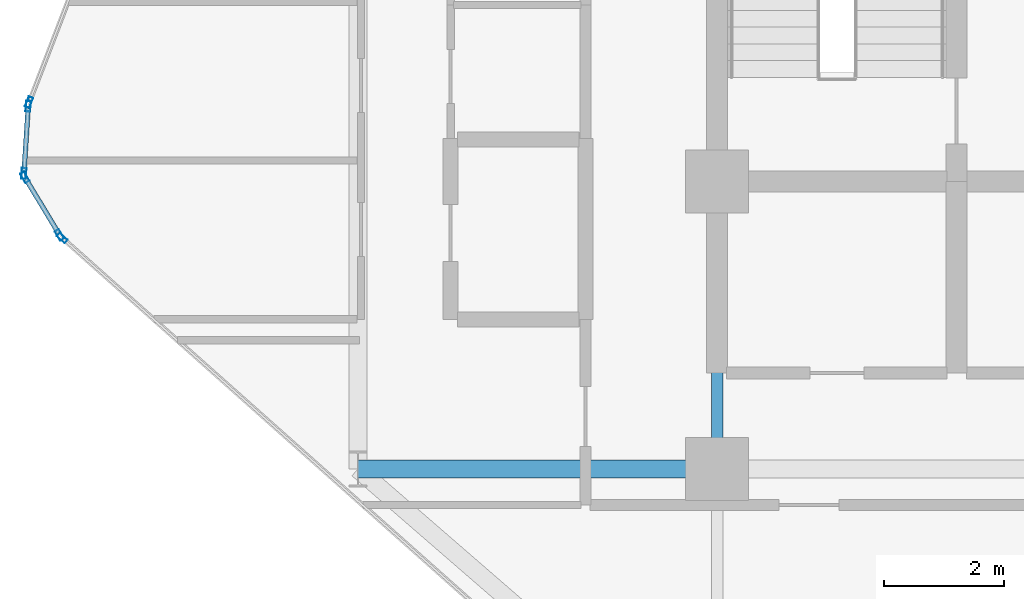
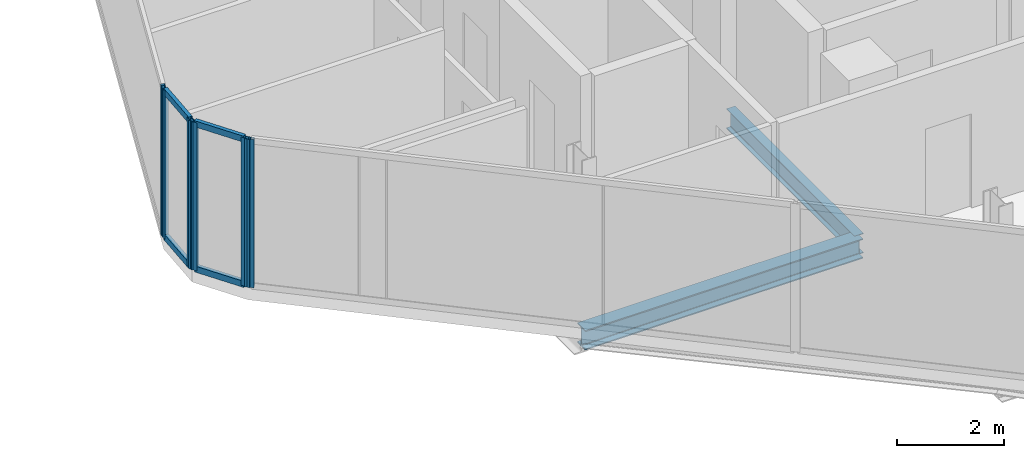
# One storey, part 6 of 29: 10 members, 2 beams, 4 elements without a shape of their own.
"""IFC4 building model written with IfcOpenShell, lengths in metres."""

from ifc_helpers import new_model, si_unit, direction, frame, origin, origin_2d, place, context, subcontext, project, spatial, hollow_rectangle, i_section, extrude, material, layer, layer_set, material_profile, profile_set, type_object, element, aggregate, save


model = new_model("IFC4")

# Units and contexts
model_context = context("Model", 3, precision=1e-05, world=origin(), true_north=direction((0.0, 1.0)))
body_context = subcontext(model_context, "Body", "Model", "MODEL_VIEW")
ifc_project = project(units=[si_unit("LENGTHUNIT", "METRE"), si_unit("AREAUNIT", "SQUARE_METRE"), si_unit("VOLUMEUNIT", "CUBIC_METRE"), si_unit("PLANEANGLEUNIT", "RADIAN"), si_unit("MASSUNIT", "GRAM", prefix="KILO")], contexts=[model_context])

# Site, building, storey
site_placement = place(None, origin())
site = spatial("IfcSite", under=ifc_project, at=site_placement, CompositionType="ELEMENT")
building_placement = place(site_placement, origin())
building = spatial("IfcBuilding", under=site, at=building_placement, Name="Keshet Zoharim Tower", CompositionType="ELEMENT")
storey_placement = place(building_placement, frame((0.0, 0.0, 98.300048828125)))
storey = spatial("IfcBuildingStorey", under=building, at=storey_placement, Name="L23", CompositionType="ELEMENT", Elevation=98.300048828125)

# Beams
ifc_material_1 = material(Name="Steel S355", Category="steel")
ifc_material_profile_1 = material_profile(ifc_material_1, i_section(OverallWidth=0.18994140625, OverallDepth=0.449951171875, WebThickness=0.009521484375, FlangeThickness=0.0146484375, FilletRadius=0.02099609375, at=origin_2d()), Name="IPE450")
ifc_profile_set_1 = profile_set([ifc_material_profile_1], Name="Steel S355")
beam_type_1 = type_object("IfcBeamType", Name="BM-PRI-IP450", PredefinedType="BEAM", material=ifc_profile_set_1)
beam_1_placement = place(storey_placement, frame((15.0, 17.89990234375, -0.5400390625), z_axis=(0.0, 1.0, 0.0), x_axis=(-1.0, 0.0, 0.0)))
element("IfcBeam", 1, at=beam_1_placement, inside=storey, type_object=beam_type_1, Name="L23 Primary Girder Y-003", PredefinedType="BEAM", context=body_context, shape_type="SweptSolid", body=[
    extrude(i_section(OverallWidth=0.18994140625, OverallDepth=0.449951171875, WebThickness=0.009521484375, FlangeThickness=0.0146484375, FilletRadius=0.02099609375, at=origin_2d()), origin(), (0.0, 0.0, 1.0), 4.800048828125),
])
ifc_material_profile_2 = material_profile(ifc_material_1, i_section(OverallWidth=0.300048828125, OverallDepth=0.449951171875, WebThickness=0.013916015625, FlangeThickness=0.02587890625, FilletRadius=0.027099609375, at=origin_2d()), Name="HEB450")
ifc_profile_set_2 = profile_set([ifc_material_profile_2], Name="Steel S355")
beam_type_2 = type_object("IfcBeamType", Name="BM-WEB-HB450", PredefinedType="BEAM", material=ifc_profile_set_2)
beam_2_placement = place(storey_placement, frame((9.0, 17.89990234375, -0.5400390625), z_axis=(1.0, 0.0, 0.0), x_axis=(0.0, 1.0, 0.0)))
element("IfcBeam", 2, at=beam_2_placement, inside=storey, type_object=beam_type_2, Name="L23 Primary Girder X-011", PredefinedType="BEAM", context=body_context, shape_type="SweptSolid", body=[
    extrude(i_section(OverallWidth=0.300048828125, OverallDepth=0.449951171875, WebThickness=0.013916015625, FlangeThickness=0.02587890625, FilletRadius=0.027099609375, at=origin_2d()), origin(), (0.0, 0.0, 1.0), 6.0),
])

# Curtain wall, member
ifc_material_2 = material(Name="Aluminium 6063-T6", Category="aluminium")
ifc_layer = layer(ifc_material_2, 0.159912109375)
ifc_layer_set = layer_set([ifc_layer], Name="Aluminium 6063-T6")
curtain_wall_type = type_object("IfcCurtainWallType", Name="CW-SYS-03", PredefinedType="NOTDEFINED", material=ifc_layer_set)
curtain_wall_1_placement = place(storey_placement, origin())
curtain_wall_1 = element("IfcCurtainWall", 3, at=curtain_wall_1_placement, inside=storey, type_object=curtain_wall_type, Name="L23 Unitised Curtain Wall 07 Part 2", PredefinedType="NOTDEFINED")
ifc_material_profile_3 = material_profile(ifc_material_2, hollow_rectangle(XDim=0.080078125, YDim=0.179931640625, WallThickness=0.00439453125, at=origin_2d()), Name="MUL-80x180")
ifc_profile_set_3 = profile_set([ifc_material_profile_3], Name="Aluminium 6063-T6")
member_type_1 = type_object("IfcMemberType", Name="CWM-M18", PredefinedType="MULLION", material=ifc_profile_set_3)
member_1_placement = place(storey_placement, frame((4.061279296875, 21.7568359375, 0.0), z_axis=(0.0, 0.0, 1.0), x_axis=(-0.664364135264, -0.747409055186, 0.0)))
member_1 = element("IfcMember", 4, at=member_1_placement, type_object=member_type_1, Name="CW-03 mullion 3", PredefinedType="MULLION", context=body_context, shape_type="SweptSolid", body=[
    extrude(hollow_rectangle(XDim=0.080078125, YDim=0.179931640625, WallThickness=0.00439453125, at=origin_2d()), origin(), (0.0, 0.0, 1.0), 3.385009765625),
])
aggregate(curtain_wall_1, [member_1])

# Curtain wall, members
curtain_wall_2_placement = place(storey_placement, origin())
curtain_wall_2 = element("IfcCurtainWall", 5, at=curtain_wall_2_placement, inside=storey, type_object=curtain_wall_type, Name="L23 Unitised Curtain Wall 08", PredefinedType="NOTDEFINED")
member_2_placement = place(storey_placement, frame((4.016845703125, 21.81005859375, 0.0), z_axis=(0.0, 0.0, 1.0), x_axis=(-0.856826433805, -0.515604947933, 0.0)))
member_2 = element("IfcMember", 6, at=member_2_placement, type_object=member_type_1, Name="CW-03 mullion 1", PredefinedType="MULLION", context=body_context, shape_type="SweptSolid", body=[
    extrude(hollow_rectangle(XDim=0.080078125, YDim=0.179931640625, WallThickness=0.00439453125, at=origin_2d()), origin(), (0.0, 0.0, 1.0), 3.385009765625),
])
member_3_placement = place(storey_placement, frame((3.43798828125, 22.77197265625, 0.0), z_axis=(0.0, 0.0, 1.0), x_axis=(-0.856826433805, -0.515604947933, 0.0)))
member_3 = element("IfcMember", 7, at=member_3_placement, type_object=member_type_1, Name="CW-03 mullion 2", PredefinedType="MULLION", context=body_context, shape_type="SweptSolid", body=[
    extrude(hollow_rectangle(XDim=0.080078125, YDim=0.179931640625, WallThickness=0.00439453125, at=origin_2d()), origin(), (0.0, 0.0, 1.0), 3.385009765625),
])

curtain_wall_3_placement = place(storey_placement, origin())
curtain_wall_3 = element("IfcCurtainWall", 8, at=curtain_wall_3_placement, inside=storey, type_object=curtain_wall_type, Name="L23 Unitised Curtain Wall 09", PredefinedType="NOTDEFINED")
member_4_placement = place(storey_placement, frame((3.42236328125, 22.8369140625, 0.0), z_axis=(0.0, 0.0, 1.0), x_axis=(-0.997916617186, 0.064516859374, 0.0)))
member_4 = element("IfcMember", 9, at=member_4_placement, type_object=member_type_1, Name="CW-03 mullion 1", PredefinedType="MULLION", context=body_context, shape_type="SweptSolid", body=[
    extrude(hollow_rectangle(XDim=0.080078125, YDim=0.179931640625, WallThickness=0.00439453125, at=origin_2d()), origin(), (0.0, 0.0, 1.0), 3.385009765625),
])
member_5_placement = place(storey_placement, frame((3.49462890625, 23.9580078125, 0.0), z_axis=(0.0, 0.0, 1.0), x_axis=(-0.997916617186, 0.064516859374, 0.0)))
member_5 = element("IfcMember", 10, at=member_5_placement, type_object=member_type_1, Name="CW-03 mullion 2", PredefinedType="MULLION", context=body_context, shape_type="SweptSolid", body=[
    extrude(hollow_rectangle(XDim=0.080078125, YDim=0.179931640625, WallThickness=0.00439453125, at=origin_2d()), origin(), (0.0, 0.0, 1.0), 3.385009765625),
])

# Curtain wall, member
curtain_wall_4_placement = place(storey_placement, origin())
curtain_wall_4 = element("IfcCurtainWall", 11, at=curtain_wall_4_placement, inside=storey, type_object=curtain_wall_type, Name="L23 Unitised Curtain Wall 10", PredefinedType="NOTDEFINED")
member_6_placement = place(storey_placement, frame((3.509521484375, 24.025634765625, 0.0), z_axis=(0.0, 0.0, 1.0), x_axis=(-0.933341404361, 0.358990003907, 0.0)))
member_6 = element("IfcMember", 12, at=member_6_placement, type_object=member_type_1, Name="CW-03 mullion 1", PredefinedType="MULLION", context=body_context, shape_type="SweptSolid", body=[
    extrude(hollow_rectangle(XDim=0.080078125, YDim=0.179931640625, WallThickness=0.00439453125, at=origin_2d()), origin(), (0.0, 0.0, 1.0), 3.385009765625),
])
aggregate(curtain_wall_4, [member_6])

# Member
ifc_material_profile_4 = material_profile(ifc_material_2, hollow_rectangle(XDim=0.080078125, YDim=0.139892578125, WallThickness=0.00390625, at=origin_2d()), Name="TRN-80x140")
ifc_profile_set_4 = profile_set([ifc_material_profile_4], Name="Aluminium 6063-T6")
member_type_2 = type_object("IfcMemberType", Name="CWT-T14", PredefinedType="USERDEFINED", material=ifc_profile_set_4)
member_7_placement = place(storey_placement, frame((3.9990234375, 21.840087890625, 0.034912109375), z_axis=(-0.515791194107, 0.856714330499, 0.0), x_axis=(-0.856714330499, -0.515791194107, 0.0)))
member_7 = element("IfcMember", 13, at=member_7_placement, type_object=member_type_2, Name="CW-03 transom 1.1", ObjectType="TRANSOM", PredefinedType="USERDEFINED", context=body_context, shape_type="SweptSolid", body=[
    extrude(hollow_rectangle(XDim=0.080078125, YDim=0.139892578125, WallThickness=0.00390625, at=origin_2d()), origin(), (0.0, 0.0, 1.0), 1.052734375),
])

member_8_placement = place(storey_placement, frame((3.9990234375, 21.840087890625, 3.349853515625), z_axis=(-0.515791194107, 0.856714330499, 0.0), x_axis=(-0.856714330499, -0.515791194107, 0.0)))
member_8 = element("IfcMember", 14, at=member_8_placement, type_object=member_type_2, Name="CW-03 transom 1.2", ObjectType="TRANSOM", PredefinedType="USERDEFINED", context=body_context, shape_type="SweptSolid", body=[
    extrude(hollow_rectangle(XDim=0.080078125, YDim=0.139892578125, WallThickness=0.00390625, at=origin_2d()), origin(), (0.0, 0.0, 1.0), 1.052734375),
])

aggregate(curtain_wall_2, [member_2, member_3, member_7, member_8])

member_9_placement = place(storey_placement, frame((3.424560546875, 22.871826171875, 0.034912109375), z_axis=(0.064426947155, 0.997922426083, 0.0), x_axis=(-0.997922426083, 0.064426947155, 0.0)))
member_9 = element("IfcMember", 15, at=member_9_placement, type_object=member_type_2, Name="CW-03 transom 1.1", ObjectType="TRANSOM", PredefinedType="USERDEFINED", context=body_context, shape_type="SweptSolid", body=[
    extrude(hollow_rectangle(XDim=0.080078125, YDim=0.139892578125, WallThickness=0.00390625, at=origin_2d()), origin(), (0.0, 0.0, 1.0), 1.053466796875),
])

member_10_placement = place(storey_placement, frame((3.424560546875, 22.871826171875, 3.349853515625), z_axis=(0.064426947155, 0.997922426083, 0.0), x_axis=(-0.997922426083, 0.064426947155, 0.0)))
member_10 = element("IfcMember", 16, at=member_10_placement, type_object=member_type_2, Name="CW-03 transom 1.2", ObjectType="TRANSOM", PredefinedType="USERDEFINED", context=body_context, shape_type="SweptSolid", body=[
    extrude(hollow_rectangle(XDim=0.080078125, YDim=0.139892578125, WallThickness=0.00390625, at=origin_2d()), origin(), (0.0, 0.0, 1.0), 1.053466796875),
])

aggregate(curtain_wall_3, [member_4, member_5, member_9, member_10])

save(model, "model.ifc")
